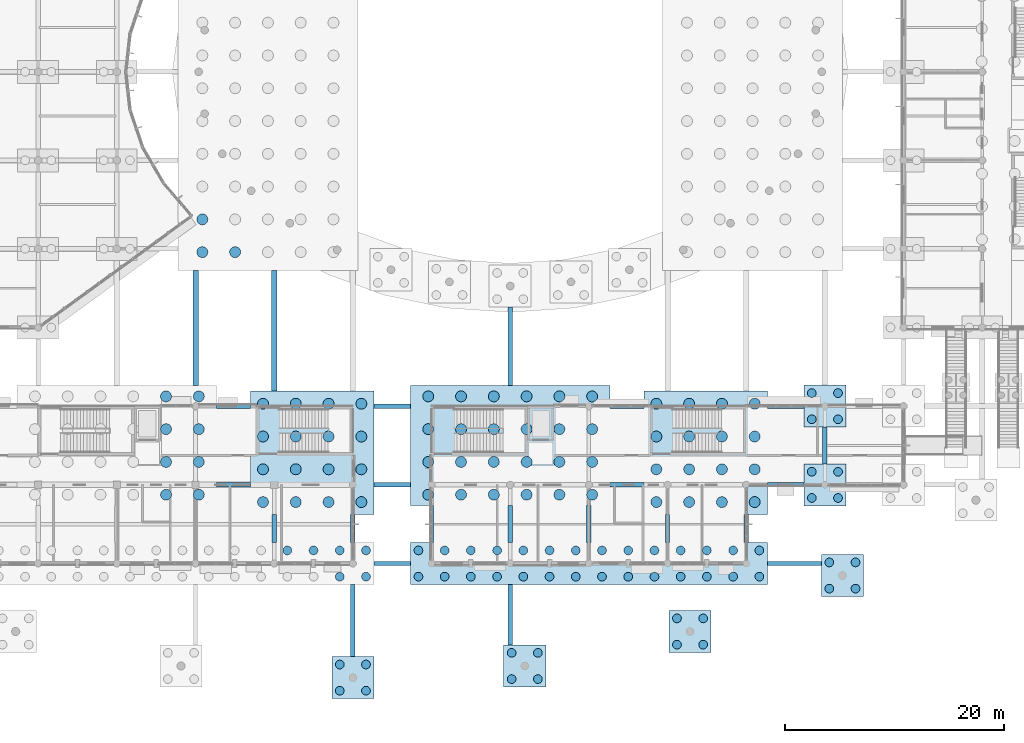
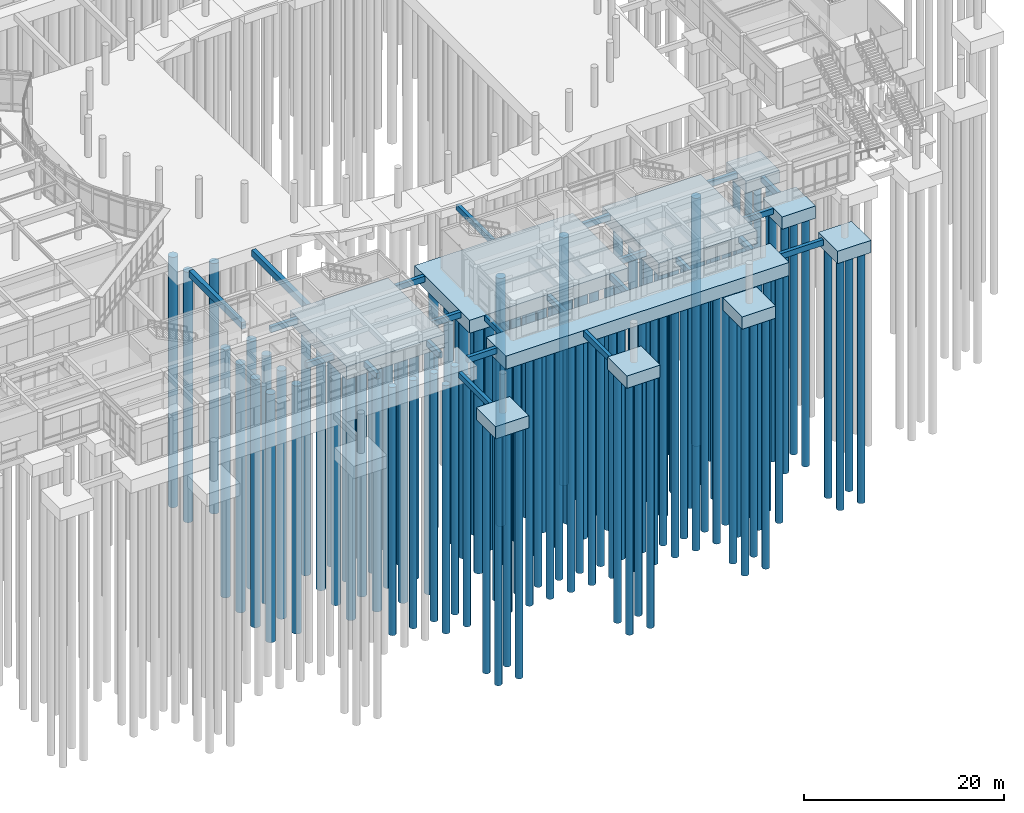
# One storey, part 3 of 103: 125 piles, 33 footings.
"""IFC4 building model written with IfcOpenShell, lengths in metres."""

from ifc_helpers import new_model, si_unit, direction, frame, origin, origin_2d, place, context, subcontext, project, spatial, rectangle, circle, extrude, material, layer, layer_set, material_profile, profile_set, type_object, element, save


model = new_model("IFC4")

# Units and contexts
model_context = context("Model", 3, precision=1e-05, world=origin(), true_north=direction((0.0, 1.0)))
body_context = subcontext(model_context, "Body", "Model", "MODEL_VIEW")
ifc_project = project(units=[si_unit("LENGTHUNIT", "METRE"), si_unit("AREAUNIT", "SQUARE_METRE"), si_unit("VOLUMEUNIT", "CUBIC_METRE"), si_unit("PLANEANGLEUNIT", "RADIAN"), si_unit("MASSUNIT", "GRAM", prefix="KILO")], contexts=[model_context])

# Site, building, storey
site_placement = place(None, origin())
site = spatial("IfcSite", under=ifc_project, at=site_placement, CompositionType="ELEMENT")
building_placement = place(site_placement, origin())
building = spatial("IfcBuilding", under=site, at=building_placement, Name="Namkhue Oval Health Centre", CompositionType="ELEMENT")
storey_placement = place(building_placement, origin())
storey = spatial("IfcBuildingStorey", under=building, at=storey_placement, Name="L00", CompositionType="ELEMENT", Elevation=0.0)

# Footings
ifc_material_1 = material(Name="Reinforced concrete C30/37 (TCVN B35)", Category="concrete")
ifc_layer_1 = layer(ifc_material_1, 1.60009765625)
ifc_layer_set_1 = layer_set([ifc_layer_1], Name="Reinforced concrete C30/37 (TCVN B35)")
footing_type_1 = type_object("IfcFootingType", Name="BORED PILE CAP 11300X11300X1600", PredefinedType="PILE_CAP", material=ifc_layer_set_1)
for number, where, z_axis, x_axis, name in (
    (1, (82.675048828125, 24.52490234375, -1.885009765625), (0.0, 0.0, 1.0), (1.0, 0.0, 0.0), "Reinforced Concrete Pile Cap 16"),
    (2, (118.675048828125, 24.52490234375, -1.875), (0.0, 0.0, 1.0), (1.0, 0.0, 0.0), "Reinforced Concrete Pile Cap 18"),
):
    element("IfcFooting", number, at=place(storey_placement, frame(where, z_axis=z_axis, x_axis=x_axis)), inside=storey, type_object=footing_type_1, Name=name, PredefinedType="PILE_CAP", context=body_context, shape_type="SweptSolid", body=[
        extrude(rectangle(XDim=11.300048828125, YDim=11.300048828125, at=origin_2d()), origin(), (0.0, 0.0, 1.0), 1.60009765625),
    ])
ifc_layer_2 = layer(ifc_material_1, 1.60009765625)
ifc_layer_set_2 = layer_set([ifc_layer_2], Name="Reinforced concrete C30/37 (TCVN B35)")
footing_type_2 = type_object("IfcFootingType", Name="BORED PILE CAP 18250X11000X1600", PredefinedType="PILE_CAP", material=ifc_layer_set_2)
footing_1_placement = place(storey_placement, frame((100.800048828125, 25.199951171875, -1.875), z_axis=(0.0, 0.0, 1.0), x_axis=(1.0, 0.0, 0.0)))
element("IfcFooting", 3, at=footing_1_placement, inside=storey, type_object=footing_type_2, Name="Reinforced Concrete Pile Cap 17", PredefinedType="PILE_CAP", context=body_context, shape_type="SweptSolid", body=[
    extrude(rectangle(XDim=18.25, YDim=11.0, at=origin_2d()), origin(), (0.0, 0.0, 1.0), 1.60009765625),
])
ifc_layer_3 = layer(ifc_material_1, 1.60009765625)
ifc_layer_set_3 = layer_set([ifc_layer_3], Name="Reinforced concrete C30/37 (TCVN B35)")
footing_type_3 = type_object("IfcFootingType", Name="BORED PILE CAP 32650X3850X1600", PredefinedType="PILE_CAP", material=ifc_layer_set_3)
footing_2_placement = place(storey_placement, frame((108.0, 14.39990234375, -1.875), z_axis=(0.0, 0.0, 1.0), x_axis=(1.0, 0.0, 0.0)))
element("IfcFooting", 4, at=footing_2_placement, inside=storey, type_object=footing_type_3, Name="Reinforced Concrete Pile Cap 9", PredefinedType="PILE_CAP", context=body_context, shape_type="SweptSolid", body=[
    extrude(rectangle(XDim=32.64990234375, YDim=3.85009765625, at=origin_2d()), origin(), (0.0, 0.0, 1.0), 1.60009765625),
])
ifc_layer_4 = layer(ifc_material_1, 1.5)
ifc_layer_set_4 = layer_set([ifc_layer_4], Name="Reinforced concrete C30/37 (TCVN B35)")
footing_type_4 = type_object("IfcFootingType", Name="BORED PILE CAP 3850X3850X1500", PredefinedType="PILE_CAP", material=ifc_layer_set_4)
for number, where, z_axis, x_axis, name in (
    (5, (86.39990234375, 3.9599609375, -1.5), (0.0, 0.0, 1.0), (1.0, 0.0, 0.0), "Reinforced Concrete Pile Cap 1"),
    (6, (102.132080078125, 5.025390625, -1.5), (0.0, 0.0, 1.0), (1.0, 0.0, 0.0), "Reinforced Concrete Pile Cap 3"),
    (7, (117.259521484375, 8.18017578125, -1.5), (0.0, 0.0, 1.0), (1.0, 0.0, 0.0), "Reinforced Concrete Pile Cap 5"),
    (8, (131.201171875, 13.30322265625, -1.5), (0.0, 0.0, 1.0), (1.0, 0.0, 0.0), "Reinforced Concrete Pile Cap 7"),
    (9, (129.60009765625, 21.60009765625, -1.77490234375), (0.0, 0.0, 1.0), (1.0, 0.0, 0.0), "Reinforced Concrete Pile Cap 19"),
    (10, (129.60009765625, 28.800048828125, -1.77490234375), (0.0, 0.0, 1.0), (1.0, 0.0, 0.0), "Reinforced Concrete Pile Cap 26"),
):
    element("IfcFooting", number, at=place(storey_placement, frame(where, z_axis=z_axis, x_axis=x_axis)), inside=storey, type_object=footing_type_4, Name=name, PredefinedType="PILE_CAP", context=body_context, shape_type="SweptSolid", body=[
        extrude(rectangle(XDim=3.85009765625, YDim=3.85009765625, at=origin_2d()), origin(), (0.0, 0.0, 1.0), 1.5),
    ])
footing_type_5 = type_object("IfcFootingType", Name="FOUNDATION GROUND BEAM 400X700", PredefinedType="FOOTING_BEAM", material=ifc_material_1)
footing_3_placement = place(storey_placement, frame((90.0, 14.39990234375, -0.98486328125), z_axis=(0.0, 0.0, 1.0), x_axis=(1.0, 0.0, 0.0)))
element("IfcFooting", 11, at=footing_3_placement, inside=storey, type_object=footing_type_5, Name="Foundation Ground Tie Beam X-2", PredefinedType="FOOTING_BEAM", context=body_context, shape_type="SweptSolid", body=[
    extrude(rectangle(XDim=3.35009765625, YDim=0.39990234375, at=origin_2d()), origin(), (0.0, 0.0, 1.0), 0.699951171875),
])
footing_4_placement = place(storey_placement, frame((126.800537109375, 14.39990234375, -0.97509765625), z_axis=(0.0, 0.0, 1.0), x_axis=(1.0, 0.0, 0.0)))
element("IfcFooting", 12, at=footing_4_placement, inside=storey, type_object=footing_type_5, Name="Foundation Ground Tie Beam X-3", PredefinedType="FOOTING_BEAM", context=body_context, shape_type="SweptSolid", body=[
    extrude(rectangle(XDim=4.951171875, YDim=0.39990234375, at=origin_2d()), origin(), (0.0, 0.0, 1.0), 0.699951171875),
])
footing_5_placement = place(storey_placement, frame((75.47509765625, 21.60009765625, -0.98486328125), z_axis=(0.0, 0.0, 1.0), x_axis=(1.0, 0.0, 0.0)))
element("IfcFooting", 13, at=footing_5_placement, inside=storey, type_object=footing_type_5, Name="Foundation Ground Tie Beam X-8", PredefinedType="FOOTING_BEAM", context=body_context, shape_type="SweptSolid", body=[
    extrude(rectangle(XDim=3.10009765625, YDim=0.39990234375, at=origin_2d()), origin(), (0.0, 0.0, 1.0), 0.699951171875),
])
footing_6_placement = place(storey_placement, frame((90.0, 21.60009765625, -0.98486328125), z_axis=(0.0, 0.0, 1.0), x_axis=(1.0, 0.0, 0.0)))
element("IfcFooting", 14, at=footing_6_placement, inside=storey, type_object=footing_type_5, Name="Foundation Ground Tie Beam X-9", PredefinedType="FOOTING_BEAM", context=body_context, shape_type="SweptSolid", body=[
    extrude(rectangle(XDim=3.35009765625, YDim=0.39990234375, at=origin_2d()), origin(), (0.0, 0.0, 1.0), 0.699951171875),
])
footing_7_placement = place(storey_placement, frame((111.47509765625, 21.60009765625, -0.97509765625), z_axis=(0.0, 0.0, 1.0), x_axis=(1.0, 0.0, 0.0)))
element("IfcFooting", 15, at=footing_7_placement, inside=storey, type_object=footing_type_5, Name="Foundation Ground Tie Beam X-10", PredefinedType="FOOTING_BEAM", context=body_context, shape_type="SweptSolid", body=[
    extrude(rectangle(XDim=3.10009765625, YDim=0.39990234375, at=origin_2d()), origin(), (0.0, 0.0, 1.0), 0.699951171875),
])
footing_8_placement = place(storey_placement, frame((126.0, 21.60009765625, -0.97509765625), z_axis=(0.0, 0.0, 1.0), x_axis=(1.0, 0.0, 0.0)))
element("IfcFooting", 16, at=footing_8_placement, inside=storey, type_object=footing_type_5, Name="Foundation Ground Tie Beam X-11", PredefinedType="FOOTING_BEAM", context=body_context, shape_type="SweptSolid", body=[
    extrude(rectangle(XDim=3.35009765625, YDim=0.39990234375, at=origin_2d()), origin(), (0.0, 0.0, 1.0), 0.699951171875),
])
footing_9_placement = place(storey_placement, frame((75.47509765625, 28.800048828125, -0.98486328125), z_axis=(0.0, 0.0, 1.0), x_axis=(1.0, 0.0, 0.0)))
element("IfcFooting", 17, at=footing_9_placement, inside=storey, type_object=footing_type_5, Name="Foundation Ground Tie Beam X-18", PredefinedType="FOOTING_BEAM", context=body_context, shape_type="SweptSolid", body=[
    extrude(rectangle(XDim=3.10009765625, YDim=0.39990234375, at=origin_2d()), origin(), (0.0, 0.0, 1.0), 0.699951171875),
])
footing_10_placement = place(storey_placement, frame((90.0, 28.800048828125, -0.98486328125), z_axis=(0.0, 0.0, 1.0), x_axis=(1.0, 0.0, 0.0)))
element("IfcFooting", 18, at=footing_10_placement, inside=storey, type_object=footing_type_5, Name="Foundation Ground Tie Beam X-19", PredefinedType="FOOTING_BEAM", context=body_context, shape_type="SweptSolid", body=[
    extrude(rectangle(XDim=3.35009765625, YDim=0.39990234375, at=origin_2d()), origin(), (0.0, 0.0, 1.0), 0.699951171875),
])
footing_11_placement = place(storey_placement, frame((111.47509765625, 28.800048828125, -0.97509765625), z_axis=(0.0, 0.0, 1.0), x_axis=(1.0, 0.0, 0.0)))
element("IfcFooting", 19, at=footing_11_placement, inside=storey, type_object=footing_type_5, Name="Foundation Ground Tie Beam X-20", PredefinedType="FOOTING_BEAM", context=body_context, shape_type="SweptSolid", body=[
    extrude(rectangle(XDim=3.10009765625, YDim=0.39990234375, at=origin_2d()), origin(), (0.0, 0.0, 1.0), 0.699951171875),
])
footing_12_placement = place(storey_placement, frame((126.0, 28.800048828125, -0.97509765625), z_axis=(0.0, 0.0, 1.0), x_axis=(1.0, 0.0, 0.0)))
element("IfcFooting", 20, at=footing_12_placement, inside=storey, type_object=footing_type_5, Name="Foundation Ground Tie Beam X-21", PredefinedType="FOOTING_BEAM", context=body_context, shape_type="SweptSolid", body=[
    extrude(rectangle(XDim=3.35009765625, YDim=0.39990234375, at=origin_2d()), origin(), (0.0, 0.0, 1.0), 0.699951171875),
])
footing_13_placement = place(storey_placement, frame((79.199951171875, 17.60009765625, -0.98486328125), z_axis=(0.0, 0.0, 1.0), x_axis=(0.0, 1.0, 0.0)))
element("IfcFooting", 21, at=footing_13_placement, inside=storey, type_object=footing_type_5, Name="Foundation Ground Tie Beam Y-169", PredefinedType="FOOTING_BEAM", context=body_context, shape_type="SweptSolid", body=[
    extrude(rectangle(XDim=2.550048828125, YDim=0.39990234375, at=origin_2d()), origin(), (0.0, 0.0, 1.0), 0.699951171875),
])
footing_14_placement = place(storey_placement, frame((86.39990234375, 9.179931640625, -0.98486328125), z_axis=(0.0, 0.0, 1.0), x_axis=(0.0, 1.0, 0.0)))
element("IfcFooting", 22, at=footing_14_placement, inside=storey, type_object=footing_type_5, Name="Foundation Ground Tie Beam Y-173", PredefinedType="FOOTING_BEAM", context=body_context, shape_type="SweptSolid", body=[
    extrude(rectangle(XDim=6.590087890625, YDim=0.39990234375, at=origin_2d()), origin(), (0.0, 0.0, 1.0), 0.699951171875),
])
footing_15_placement = place(storey_placement, frame((86.39990234375, 17.60009765625, -0.98486328125), z_axis=(0.0, 0.0, 1.0), x_axis=(0.0, 1.0, 0.0)))
element("IfcFooting", 23, at=footing_15_placement, inside=storey, type_object=footing_type_5, Name="Foundation Ground Tie Beam Y-174", PredefinedType="FOOTING_BEAM", context=body_context, shape_type="SweptSolid", body=[
    extrude(rectangle(XDim=2.550048828125, YDim=0.39990234375, at=origin_2d()), origin(), (0.0, 0.0, 1.0), 0.699951171875),
])
footing_16_placement = place(storey_placement, frame((93.60009765625, 18.012451171875, -0.97509765625), z_axis=(0.0, 0.0, 1.0), x_axis=(0.0, 1.0, 0.0)))
element("IfcFooting", 24, at=footing_16_placement, inside=storey, type_object=footing_type_5, Name="Foundation Ground Tie Beam Y-179", PredefinedType="FOOTING_BEAM", context=body_context, shape_type="SweptSolid", body=[
    extrude(rectangle(XDim=3.375, YDim=0.39990234375, at=origin_2d()), origin(), (0.0, 0.0, 1.0), 0.699951171875),
])
footing_17_placement = place(storey_placement, frame((100.800048828125, 9.712646484375, -0.97509765625), z_axis=(0.0, 0.0, 1.0), x_axis=(0.0, 1.0, 0.0)))
element("IfcFooting", 25, at=footing_17_placement, inside=storey, type_object=footing_type_5, Name="Foundation Ground Tie Beam Y-181", PredefinedType="FOOTING_BEAM", context=body_context, shape_type="SweptSolid", body=[
    extrude(rectangle(XDim=5.524658203125, YDim=0.39990234375, at=origin_2d()), origin(), (0.0, 0.0, 1.0), 0.699951171875),
])
footing_18_placement = place(storey_placement, frame((100.800048828125, 18.012451171875, -0.97509765625), z_axis=(0.0, 0.0, 1.0), x_axis=(0.0, 1.0, 0.0)))
element("IfcFooting", 26, at=footing_18_placement, inside=storey, type_object=footing_type_5, Name="Foundation Ground Tie Beam Y-182", PredefinedType="FOOTING_BEAM", context=body_context, shape_type="SweptSolid", body=[
    extrude(rectangle(XDim=3.375, YDim=0.39990234375, at=origin_2d()), origin(), (0.0, 0.0, 1.0), 0.699951171875),
])
footing_19_placement = place(storey_placement, frame((100.800048828125, 34.28662109375, -0.97509765625), z_axis=(0.0, 0.0, 1.0), x_axis=(0.0, 1.0, 0.0)))
element("IfcFooting", 27, at=footing_19_placement, inside=storey, type_object=footing_type_5, Name="Foundation Ground Tie Beam Y-183", PredefinedType="FOOTING_BEAM", context=body_context, shape_type="SweptSolid", body=[
    extrude(rectangle(XDim=7.173095703125, YDim=0.39990234375, at=origin_2d()), origin(), (0.0, 0.0, 1.0), 0.699951171875),
])
footing_20_placement = place(storey_placement, frame((108.0, 18.012451171875, -0.97509765625), z_axis=(0.0, 0.0, 1.0), x_axis=(0.0, 1.0, 0.0)))
element("IfcFooting", 28, at=footing_20_placement, inside=storey, type_object=footing_type_5, Name="Foundation Ground Tie Beam Y-187", PredefinedType="FOOTING_BEAM", context=body_context, shape_type="SweptSolid", body=[
    extrude(rectangle(XDim=3.375, YDim=0.39990234375, at=origin_2d()), origin(), (0.0, 0.0, 1.0), 0.699951171875),
])
for number, where, z_axis, x_axis, name in (
    (29, (115.199951171875, 17.60009765625, -0.97509765625), (0.0, 0.0, 1.0), (0.0, 1.0, 0.0), "Foundation Ground Tie Beam Y-189"),
    (30, (122.39990234375, 17.60009765625, -0.97509765625), (0.0, 0.0, 1.0), (0.0, 1.0, 0.0), "Foundation Ground Tie Beam Y-193"),
):
    element("IfcFooting", number, at=place(storey_placement, frame(where, z_axis=z_axis, x_axis=x_axis)), inside=storey, type_object=footing_type_5, Name=name, PredefinedType="FOOTING_BEAM", context=body_context, shape_type="SweptSolid", body=[
        extrude(rectangle(XDim=2.550048828125, YDim=0.39990234375, at=origin_2d()), origin(), (0.0, 0.0, 1.0), 0.699951171875),
    ])
footing_21_placement = place(storey_placement, frame((129.60009765625, 25.199951171875, -0.97509765625), z_axis=(0.0, 0.0, 1.0), x_axis=(0.0, 1.0, 0.0)))
element("IfcFooting", 31, at=footing_21_placement, inside=storey, type_object=footing_type_5, Name="Foundation Ground Tie Beam Y-197", PredefinedType="FOOTING_BEAM", context=body_context, shape_type="SweptSolid", body=[
    extrude(rectangle(XDim=3.35009765625, YDim=0.39990234375, at=origin_2d()), origin(), (0.0, 0.0, 1.0), 0.699951171875),
])
footing_type_6 = type_object("IfcFootingType", Name="FOUNDATION GROUND BEAM 500X800", PredefinedType="FOOTING_BEAM", material=ifc_material_1)
footing_22_placement = place(storey_placement, frame((72.0, 35.949951171875, -1.0849609375), z_axis=(0.0, 0.0, 1.0), x_axis=(0.0, 1.0, 0.0)))
element("IfcFooting", 32, at=footing_22_placement, inside=storey, type_object=footing_type_6, Name="Foundation Ground Tie Beam Y-165", PredefinedType="FOOTING_BEAM", context=body_context, shape_type="SweptSolid", body=[
    extrude(rectangle(XDim=10.5, YDim=0.5, at=origin_2d()), origin(), (0.0, 0.0, 1.0), 0.800048828125),
])
footing_23_placement = place(storey_placement, frame((79.199951171875, 35.6875, -1.0849609375), z_axis=(0.0, 0.0, 1.0), x_axis=(0.0, 1.0, 0.0)))
element("IfcFooting", 33, at=footing_23_placement, inside=storey, type_object=footing_type_6, Name="Foundation Ground Tie Beam Y-170", PredefinedType="FOOTING_BEAM", context=body_context, shape_type="SweptSolid", body=[
    extrude(rectangle(XDim=11.02490234375, YDim=0.5, at=origin_2d()), origin(), (0.0, 0.0, 1.0), 0.800048828125),
])

# Piles
ifc_material_2 = material(Name="Reinforced concrete C25/30 (TCVN B30)", Category="concrete")
ifc_material_profile_1 = material_profile(ifc_material_2, circle(Radius=0.5, at=origin_2d()), Name="BORED PILE D1000")
ifc_profile_set_1 = profile_set([ifc_material_profile_1], Name="Reinforced concrete C25/30 (TCVN B30)")
pile_type_1 = type_object("IfcPileType", Name="RC BORED PILE D1000", PredefinedType="BORED", material=ifc_profile_set_1)
for number, where, z_axis, x_axis, name in (
    (34, (69.300048828125, 20.699951171875, -1.764892578125), (0.0, 0.0, -1.0), (1.0, 0.0, 0.0), "Bored Pile 15-5.1"),
    (35, (69.300048828125, 23.699951171875, -1.764892578125), (0.0, 0.0, -1.0), (1.0, 0.0, 0.0), "Bored Pile 15-5.2"),
    (36, (69.300048828125, 26.699951171875, -1.764892578125), (0.0, 0.0, -1.0), (1.0, 0.0, 0.0), "Bored Pile 15-5.3"),
    (37, (69.300048828125, 29.699951171875, -1.764892578125), (0.0, 0.0, -1.0), (1.0, 0.0, 0.0), "Bored Pile 15-5.4"),
    (38, (72.300048828125, 20.699951171875, -1.764892578125), (0.0, 0.0, -1.0), (1.0, 0.0, 0.0), "Bored Pile 15-6.1"),
    (39, (72.300048828125, 23.699951171875, -1.764892578125), (0.0, 0.0, -1.0), (1.0, 0.0, 0.0), "Bored Pile 15-6.2"),
    (40, (72.300048828125, 26.699951171875, -1.764892578125), (0.0, 0.0, -1.0), (1.0, 0.0, 0.0), "Bored Pile 15-6.3"),
    (41, (72.300048828125, 29.699951171875, -1.764892578125), (0.0, 0.0, -1.0), (1.0, 0.0, 0.0), "Bored Pile 15-6.4"),
    (42, (78.175048828125, 20.02490234375, -1.764892578125), (0.0, 0.0, -1.0), (1.0, 0.0, 0.0), "Bored Pile 16-1.1"),
    (43, (78.175048828125, 23.02490234375, -1.764892578125), (0.0, 0.0, -1.0), (1.0, 0.0, 0.0), "Bored Pile 16-1.2"),
    (44, (78.175048828125, 26.02490234375, -1.764892578125), (0.0, 0.0, -1.0), (1.0, 0.0, 0.0), "Bored Pile 16-1.3"),
    (45, (78.175048828125, 29.02490234375, -1.764892578125), (0.0, 0.0, -1.0), (1.0, 0.0, 0.0), "Bored Pile 16-1.4"),
    (46, (81.175048828125, 20.02490234375, -1.764892578125), (0.0, 0.0, -1.0), (1.0, 0.0, 0.0), "Bored Pile 16-2.1"),
    (47, (81.175048828125, 23.02490234375, -1.764892578125), (0.0, 0.0, -1.0), (1.0, 0.0, 0.0), "Bored Pile 16-2.2"),
    (48, (81.175048828125, 26.02490234375, -1.764892578125), (0.0, 0.0, -1.0), (1.0, 0.0, 0.0), "Bored Pile 16-2.3"),
    (49, (81.175048828125, 29.02490234375, -1.764892578125), (0.0, 0.0, -1.0), (1.0, 0.0, 0.0), "Bored Pile 16-2.4"),
    (50, (84.175048828125, 20.02490234375, -1.764892578125), (0.0, 0.0, -1.0), (1.0, 0.0, 0.0), "Bored Pile 16-3.1"),
    (51, (84.175048828125, 23.02490234375, -1.764892578125), (0.0, 0.0, -1.0), (1.0, 0.0, 0.0), "Bored Pile 16-3.2"),
    (52, (84.175048828125, 26.02490234375, -1.764892578125), (0.0, 0.0, -1.0), (1.0, 0.0, 0.0), "Bored Pile 16-3.3"),
    (53, (84.175048828125, 29.02490234375, -1.764892578125), (0.0, 0.0, -1.0), (1.0, 0.0, 0.0), "Bored Pile 16-3.4"),
    (54, (87.175048828125, 20.02490234375, -1.764892578125), (0.0, 0.0, -1.0), (1.0, 0.0, 0.0), "Bored Pile 16-4.1"),
    (55, (87.175048828125, 23.02490234375, -1.764892578125), (0.0, 0.0, -1.0), (1.0, 0.0, 0.0), "Bored Pile 16-4.2"),
    (56, (87.175048828125, 26.02490234375, -1.764892578125), (0.0, 0.0, -1.0), (1.0, 0.0, 0.0), "Bored Pile 16-4.3"),
    (57, (87.175048828125, 29.02490234375, -1.764892578125), (0.0, 0.0, -1.0), (1.0, 0.0, 0.0), "Bored Pile 16-4.4"),
):
    element("IfcPile", number, at=place(storey_placement, frame(where, z_axis=z_axis, x_axis=x_axis)), inside=storey, type_object=pile_type_1, Name=name, PredefinedType="BORED", context=body_context, shape_type="SweptSolid", body=[
        extrude(circle(Radius=0.5, at=origin_2d()), origin(), (0.0, 0.0, 1.0), 30.235107421875),
    ])
for number, where, z_axis, x_axis, name in (
    (58, (93.300048828125, 20.699951171875, -1.7548828125), (0.0, 0.0, -1.0), (1.0, 0.0, 0.0), "Bored Pile 17-1.1"),
    (59, (93.300048828125, 23.699951171875, -1.7548828125), (0.0, 0.0, -1.0), (1.0, 0.0, 0.0), "Bored Pile 17-1.2"),
    (60, (93.300048828125, 26.699951171875, -1.7548828125), (0.0, 0.0, -1.0), (1.0, 0.0, 0.0), "Bored Pile 17-1.3"),
    (61, (93.300048828125, 29.699951171875, -1.7548828125), (0.0, 0.0, -1.0), (1.0, 0.0, 0.0), "Bored Pile 17-1.4"),
    (62, (96.300048828125, 20.699951171875, -1.7548828125), (0.0, 0.0, -1.0), (1.0, 0.0, 0.0), "Bored Pile 17-2.1"),
    (63, (96.300048828125, 23.699951171875, -1.7548828125), (0.0, 0.0, -1.0), (1.0, 0.0, 0.0), "Bored Pile 17-2.2"),
    (64, (96.300048828125, 26.699951171875, -1.7548828125), (0.0, 0.0, -1.0), (1.0, 0.0, 0.0), "Bored Pile 17-2.3"),
    (65, (96.300048828125, 29.699951171875, -1.7548828125), (0.0, 0.0, -1.0), (1.0, 0.0, 0.0), "Bored Pile 17-2.4"),
    (66, (99.300048828125, 20.699951171875, -1.7548828125), (0.0, 0.0, -1.0), (1.0, 0.0, 0.0), "Bored Pile 17-3.1"),
    (67, (99.300048828125, 23.699951171875, -1.7548828125), (0.0, 0.0, -1.0), (1.0, 0.0, 0.0), "Bored Pile 17-3.2"),
    (68, (99.300048828125, 26.699951171875, -1.7548828125), (0.0, 0.0, -1.0), (1.0, 0.0, 0.0), "Bored Pile 17-3.3"),
    (69, (99.300048828125, 29.699951171875, -1.7548828125), (0.0, 0.0, -1.0), (1.0, 0.0, 0.0), "Bored Pile 17-3.4"),
    (70, (102.300048828125, 20.699951171875, -1.7548828125), (0.0, 0.0, -1.0), (1.0, 0.0, 0.0), "Bored Pile 17-4.1"),
    (71, (102.300048828125, 23.699951171875, -1.7548828125), (0.0, 0.0, -1.0), (1.0, 0.0, 0.0), "Bored Pile 17-4.2"),
    (72, (102.300048828125, 26.699951171875, -1.7548828125), (0.0, 0.0, -1.0), (1.0, 0.0, 0.0), "Bored Pile 17-4.3"),
    (73, (102.300048828125, 29.699951171875, -1.7548828125), (0.0, 0.0, -1.0), (1.0, 0.0, 0.0), "Bored Pile 17-4.4"),
    (74, (105.300048828125, 20.699951171875, -1.7548828125), (0.0, 0.0, -1.0), (1.0, 0.0, 0.0), "Bored Pile 17-5.1"),
    (75, (105.300048828125, 23.699951171875, -1.7548828125), (0.0, 0.0, -1.0), (1.0, 0.0, 0.0), "Bored Pile 17-5.2"),
    (76, (105.300048828125, 26.699951171875, -1.7548828125), (0.0, 0.0, -1.0), (1.0, 0.0, 0.0), "Bored Pile 17-5.3"),
    (77, (105.300048828125, 29.699951171875, -1.7548828125), (0.0, 0.0, -1.0), (1.0, 0.0, 0.0), "Bored Pile 17-5.4"),
    (78, (108.300048828125, 20.699951171875, -1.7548828125), (0.0, 0.0, -1.0), (1.0, 0.0, 0.0), "Bored Pile 17-6.1"),
    (79, (108.300048828125, 23.699951171875, -1.7548828125), (0.0, 0.0, -1.0), (1.0, 0.0, 0.0), "Bored Pile 17-6.2"),
    (80, (108.300048828125, 26.699951171875, -1.7548828125), (0.0, 0.0, -1.0), (1.0, 0.0, 0.0), "Bored Pile 17-6.3"),
    (81, (108.300048828125, 29.699951171875, -1.7548828125), (0.0, 0.0, -1.0), (1.0, 0.0, 0.0), "Bored Pile 17-6.4"),
    (82, (114.175048828125, 20.02490234375, -1.7548828125), (0.0, 0.0, -1.0), (1.0, 0.0, 0.0), "Bored Pile 18-1.1"),
    (83, (114.175048828125, 23.02490234375, -1.7548828125), (0.0, 0.0, -1.0), (1.0, 0.0, 0.0), "Bored Pile 18-1.2"),
    (84, (114.175048828125, 26.02490234375, -1.7548828125), (0.0, 0.0, -1.0), (1.0, 0.0, 0.0), "Bored Pile 18-1.3"),
    (85, (114.175048828125, 29.02490234375, -1.7548828125), (0.0, 0.0, -1.0), (1.0, 0.0, 0.0), "Bored Pile 18-1.4"),
    (86, (117.175048828125, 20.02490234375, -1.7548828125), (0.0, 0.0, -1.0), (1.0, 0.0, 0.0), "Bored Pile 18-2.1"),
    (87, (117.175048828125, 23.02490234375, -1.7548828125), (0.0, 0.0, -1.0), (1.0, 0.0, 0.0), "Bored Pile 18-2.2"),
    (88, (117.175048828125, 26.02490234375, -1.7548828125), (0.0, 0.0, -1.0), (1.0, 0.0, 0.0), "Bored Pile 18-2.3"),
    (89, (117.175048828125, 29.02490234375, -1.7548828125), (0.0, 0.0, -1.0), (1.0, 0.0, 0.0), "Bored Pile 18-2.4"),
    (90, (120.175048828125, 20.02490234375, -1.7548828125), (0.0, 0.0, -1.0), (1.0, 0.0, 0.0), "Bored Pile 18-3.1"),
    (91, (120.175048828125, 23.02490234375, -1.7548828125), (0.0, 0.0, -1.0), (1.0, 0.0, 0.0), "Bored Pile 18-3.2"),
    (92, (120.175048828125, 26.02490234375, -1.7548828125), (0.0, 0.0, -1.0), (1.0, 0.0, 0.0), "Bored Pile 18-3.3"),
    (93, (120.175048828125, 29.02490234375, -1.7548828125), (0.0, 0.0, -1.0), (1.0, 0.0, 0.0), "Bored Pile 18-3.4"),
    (94, (123.175048828125, 20.02490234375, -1.7548828125), (0.0, 0.0, -1.0), (1.0, 0.0, 0.0), "Bored Pile 18-4.1"),
    (95, (123.175048828125, 23.02490234375, -1.7548828125), (0.0, 0.0, -1.0), (1.0, 0.0, 0.0), "Bored Pile 18-4.2"),
    (96, (123.175048828125, 26.02490234375, -1.7548828125), (0.0, 0.0, -1.0), (1.0, 0.0, 0.0), "Bored Pile 18-4.3"),
    (97, (123.175048828125, 29.02490234375, -1.7548828125), (0.0, 0.0, -1.0), (1.0, 0.0, 0.0), "Bored Pile 18-4.4"),
):
    element("IfcPile", number, at=place(storey_placement, frame(where, z_axis=z_axis, x_axis=x_axis)), inside=storey, type_object=pile_type_1, Name=name, PredefinedType="BORED", context=body_context, shape_type="SweptSolid", body=[
        extrude(circle(Radius=0.5, at=origin_2d()), origin(), (0.0, 0.0, 1.0), 30.2451171875),
    ])
for number, where, z_axis, x_axis, name in (
    (98, (72.623779296875, 42.89990234375, -1.47998046875), (0.0, 0.0, -1.0), (1.0, 0.0, 0.0), "Bored Pile 43-1.1"),
    (99, (72.623779296875, 45.89990234375, -1.47998046875), (0.0, 0.0, -1.0), (1.0, 0.0, 0.0), "Bored Pile 43-1.2"),
    (100, (75.623779296875, 42.89990234375, -1.47998046875), (0.0, 0.0, -1.0), (1.0, 0.0, 0.0), "Bored Pile 43-2.1"),
):
    element("IfcPile", number, at=place(storey_placement, frame(where, z_axis=z_axis, x_axis=x_axis)), inside=storey, type_object=pile_type_1, Name=name, PredefinedType="BORED", context=body_context, shape_type="SweptSolid", body=[
        extrude(circle(Radius=0.5, at=origin_2d()), origin(), (0.0, 0.0, 1.0), 30.52001953125),
    ])
ifc_material_profile_2 = material_profile(ifc_material_2, circle(Radius=0.39990234375, at=origin_2d()), Name="BORED PILE D800")
ifc_profile_set_2 = profile_set([ifc_material_profile_2], Name="Reinforced concrete C25/30 (TCVN B30)")
pile_type_2 = type_object("IfcPileType", Name="RC BORED PILE D800", PredefinedType="BORED", material=ifc_profile_set_2)
for number, where, z_axis, x_axis, name in (
    (101, (85.199951171875, 2.760009765625, -1.3798828125), (0.0, 0.0, -1.0), (1.0, 0.0, 0.0), "Bored Pile 1-1.1"),
    (102, (85.199951171875, 5.159912109375, -1.3798828125), (0.0, 0.0, -1.0), (1.0, 0.0, 0.0), "Bored Pile 1-1.2"),
    (103, (87.60009765625, 2.760009765625, -1.3798828125), (0.0, 0.0, -1.0), (1.0, 0.0, 0.0), "Bored Pile 1-2.1"),
    (104, (87.60009765625, 5.159912109375, -1.3798828125), (0.0, 0.0, -1.0), (1.0, 0.0, 0.0), "Bored Pile 1-2.2"),
    (105, (100.93212890625, 3.8251953125, -1.3798828125), (0.0, 0.0, -1.0), (1.0, 0.0, 0.0), "Bored Pile 3-1.1"),
    (106, (100.93212890625, 6.225341796875, -1.3798828125), (0.0, 0.0, -1.0), (1.0, 0.0, 0.0), "Bored Pile 3-1.2"),
    (107, (103.33203125, 3.8251953125, -1.3798828125), (0.0, 0.0, -1.0), (1.0, 0.0, 0.0), "Bored Pile 3-2.1"),
    (108, (103.33203125, 6.225341796875, -1.3798828125), (0.0, 0.0, -1.0), (1.0, 0.0, 0.0), "Bored Pile 3-2.2"),
    (109, (116.0595703125, 6.97998046875, -1.3798828125), (0.0, 0.0, -1.0), (1.0, 0.0, 0.0), "Bored Pile 5-1.1"),
    (110, (116.0595703125, 9.380126953125, -1.3798828125), (0.0, 0.0, -1.0), (1.0, 0.0, 0.0), "Bored Pile 5-1.2"),
    (111, (118.459716796875, 6.97998046875, -1.3798828125), (0.0, 0.0, -1.0), (1.0, 0.0, 0.0), "Bored Pile 5-2.1"),
    (112, (118.459716796875, 9.380126953125, -1.3798828125), (0.0, 0.0, -1.0), (1.0, 0.0, 0.0), "Bored Pile 5-2.2"),
    (113, (130.001220703125, 12.103271484375, -1.3798828125), (0.0, 0.0, -1.0), (1.0, 0.0, 0.0), "Bored Pile 7-1.1"),
    (114, (130.001220703125, 14.50341796875, -1.3798828125), (0.0, 0.0, -1.0), (1.0, 0.0, 0.0), "Bored Pile 7-1.2"),
    (115, (132.401123046875, 12.103271484375, -1.3798828125), (0.0, 0.0, -1.0), (1.0, 0.0, 0.0), "Bored Pile 7-2.1"),
    (116, (132.401123046875, 14.50341796875, -1.3798828125), (0.0, 0.0, -1.0), (1.0, 0.0, 0.0), "Bored Pile 7-2.2"),
):
    element("IfcPile", number, at=place(storey_placement, frame(where, z_axis=z_axis, x_axis=x_axis)), inside=storey, type_object=pile_type_2, Name=name, PredefinedType="BORED", context=body_context, shape_type="SweptSolid", body=[
        extrude(circle(Radius=0.39990234375, at=origin_2d()), origin(), (0.0, 0.0, 1.0), 30.6201171875),
    ])
for number, where, z_axis, x_axis, name in (
    (117, (80.39990234375, 15.60009765625, -1.764892578125), (0.0, 0.0, -1.0), (1.0, 0.0, 0.0), "Bored Pile 8-14.2"),
    (118, (82.800048828125, 15.60009765625, -1.764892578125), (0.0, 0.0, -1.0), (1.0, 0.0, 0.0), "Bored Pile 8-15.2"),
    (119, (85.199951171875, 13.199951171875, -1.764892578125), (0.0, 0.0, -1.0), (1.0, 0.0, 0.0), "Bored Pile 8-16.1"),
    (120, (85.199951171875, 15.60009765625, -1.764892578125), (0.0, 0.0, -1.0), (1.0, 0.0, 0.0), "Bored Pile 8-16.2"),
    (121, (87.60009765625, 13.199951171875, -1.764892578125), (0.0, 0.0, -1.0), (1.0, 0.0, 0.0), "Bored Pile 8-17.1"),
    (122, (87.60009765625, 15.60009765625, -1.764892578125), (0.0, 0.0, -1.0), (1.0, 0.0, 0.0), "Bored Pile 8-17.2"),
):
    element("IfcPile", number, at=place(storey_placement, frame(where, z_axis=z_axis, x_axis=x_axis)), inside=storey, type_object=pile_type_2, Name=name, PredefinedType="BORED", context=body_context, shape_type="SweptSolid", body=[
        extrude(circle(Radius=0.39990234375, at=origin_2d()), origin(), (0.0, 0.0, 1.0), 30.235107421875),
    ])
for number, where, z_axis, x_axis, name in (
    (123, (92.39990234375, 13.199951171875, -1.7548828125), (0.0, 0.0, -1.0), (1.0, 0.0, 0.0), "Bored Pile 9-1.1"),
    (124, (92.39990234375, 15.60009765625, -1.7548828125), (0.0, 0.0, -1.0), (1.0, 0.0, 0.0), "Bored Pile 9-1.2"),
    (125, (94.800048828125, 13.199951171875, -1.7548828125), (0.0, 0.0, -1.0), (1.0, 0.0, 0.0), "Bored Pile 9-2.1"),
    (126, (94.800048828125, 15.60009765625, -1.7548828125), (0.0, 0.0, -1.0), (1.0, 0.0, 0.0), "Bored Pile 9-2.2"),
    (127, (97.199951171875, 13.199951171875, -1.7548828125), (0.0, 0.0, -1.0), (1.0, 0.0, 0.0), "Bored Pile 9-3.1"),
    (128, (97.199951171875, 15.60009765625, -1.7548828125), (0.0, 0.0, -1.0), (1.0, 0.0, 0.0), "Bored Pile 9-3.2"),
    (129, (99.60009765625, 13.199951171875, -1.7548828125), (0.0, 0.0, -1.0), (1.0, 0.0, 0.0), "Bored Pile 9-4.1"),
    (130, (99.60009765625, 15.60009765625, -1.7548828125), (0.0, 0.0, -1.0), (1.0, 0.0, 0.0), "Bored Pile 9-4.2"),
    (131, (102.0, 13.199951171875, -1.7548828125), (0.0, 0.0, -1.0), (1.0, 0.0, 0.0), "Bored Pile 9-5.1"),
    (132, (102.0, 15.60009765625, -1.7548828125), (0.0, 0.0, -1.0), (1.0, 0.0, 0.0), "Bored Pile 9-5.2"),
    (133, (104.39990234375, 13.199951171875, -1.7548828125), (0.0, 0.0, -1.0), (1.0, 0.0, 0.0), "Bored Pile 9-6.1"),
    (134, (104.39990234375, 15.60009765625, -1.7548828125), (0.0, 0.0, -1.0), (1.0, 0.0, 0.0), "Bored Pile 9-6.2"),
    (135, (106.800048828125, 13.199951171875, -1.7548828125), (0.0, 0.0, -1.0), (1.0, 0.0, 0.0), "Bored Pile 9-7.1"),
    (136, (106.800048828125, 15.60009765625, -1.7548828125), (0.0, 0.0, -1.0), (1.0, 0.0, 0.0), "Bored Pile 9-7.2"),
    (137, (109.199951171875, 13.199951171875, -1.7548828125), (0.0, 0.0, -1.0), (1.0, 0.0, 0.0), "Bored Pile 9-8.1"),
    (138, (109.199951171875, 15.60009765625, -1.7548828125), (0.0, 0.0, -1.0), (1.0, 0.0, 0.0), "Bored Pile 9-8.2"),
    (139, (111.60009765625, 13.199951171875, -1.7548828125), (0.0, 0.0, -1.0), (1.0, 0.0, 0.0), "Bored Pile 9-9.1"),
    (140, (111.60009765625, 15.60009765625, -1.7548828125), (0.0, 0.0, -1.0), (1.0, 0.0, 0.0), "Bored Pile 9-9.2"),
    (141, (114.0, 13.199951171875, -1.7548828125), (0.0, 0.0, -1.0), (1.0, 0.0, 0.0), "Bored Pile 9-10.1"),
    (142, (114.0, 15.60009765625, -1.7548828125), (0.0, 0.0, -1.0), (1.0, 0.0, 0.0), "Bored Pile 9-10.2"),
    (143, (116.39990234375, 13.199951171875, -1.7548828125), (0.0, 0.0, -1.0), (1.0, 0.0, 0.0), "Bored Pile 9-11.1"),
    (144, (116.39990234375, 15.60009765625, -1.7548828125), (0.0, 0.0, -1.0), (1.0, 0.0, 0.0), "Bored Pile 9-11.2"),
    (145, (118.800048828125, 13.199951171875, -1.7548828125), (0.0, 0.0, -1.0), (1.0, 0.0, 0.0), "Bored Pile 9-12.1"),
    (146, (118.800048828125, 15.60009765625, -1.7548828125), (0.0, 0.0, -1.0), (1.0, 0.0, 0.0), "Bored Pile 9-12.2"),
    (147, (121.199951171875, 13.199951171875, -1.7548828125), (0.0, 0.0, -1.0), (1.0, 0.0, 0.0), "Bored Pile 9-13.1"),
    (148, (121.199951171875, 15.60009765625, -1.7548828125), (0.0, 0.0, -1.0), (1.0, 0.0, 0.0), "Bored Pile 9-13.2"),
    (149, (123.60009765625, 13.199951171875, -1.7548828125), (0.0, 0.0, -1.0), (1.0, 0.0, 0.0), "Bored Pile 9-14.1"),
    (150, (123.60009765625, 15.60009765625, -1.7548828125), (0.0, 0.0, -1.0), (1.0, 0.0, 0.0), "Bored Pile 9-14.2"),
):
    element("IfcPile", number, at=place(storey_placement, frame(where, z_axis=z_axis, x_axis=x_axis)), inside=storey, type_object=pile_type_2, Name=name, PredefinedType="BORED", context=body_context, shape_type="SweptSolid", body=[
        extrude(circle(Radius=0.39990234375, at=origin_2d()), origin(), (0.0, 0.0, 1.0), 30.2451171875),
    ])
for number, where, z_axis, x_axis, name in (
    (151, (128.39990234375, 20.39990234375, -1.655029296875), (0.0, 0.0, -1.0), (1.0, 0.0, 0.0), "Bored Pile 19-1.1"),
    (152, (128.39990234375, 22.800048828125, -1.655029296875), (0.0, 0.0, -1.0), (1.0, 0.0, 0.0), "Bored Pile 19-1.2"),
    (153, (130.800048828125, 20.39990234375, -1.655029296875), (0.0, 0.0, -1.0), (1.0, 0.0, 0.0), "Bored Pile 19-2.1"),
    (154, (130.800048828125, 22.800048828125, -1.655029296875), (0.0, 0.0, -1.0), (1.0, 0.0, 0.0), "Bored Pile 19-2.2"),
    (155, (128.39990234375, 27.60009765625, -1.655029296875), (0.0, 0.0, -1.0), (1.0, 0.0, 0.0), "Bored Pile 26-1.1"),
    (156, (128.39990234375, 30.0, -1.655029296875), (0.0, 0.0, -1.0), (1.0, 0.0, 0.0), "Bored Pile 26-1.2"),
    (157, (130.800048828125, 27.60009765625, -1.655029296875), (0.0, 0.0, -1.0), (1.0, 0.0, 0.0), "Bored Pile 26-2.1"),
    (158, (130.800048828125, 30.0, -1.655029296875), (0.0, 0.0, -1.0), (1.0, 0.0, 0.0), "Bored Pile 26-2.2"),
):
    element("IfcPile", number, at=place(storey_placement, frame(where, z_axis=z_axis, x_axis=x_axis)), inside=storey, type_object=pile_type_2, Name=name, PredefinedType="BORED", context=body_context, shape_type="SweptSolid", body=[
        extrude(circle(Radius=0.39990234375, at=origin_2d()), origin(), (0.0, 0.0, 1.0), 30.344970703125),
    ])

save(model, "model.ifc")
